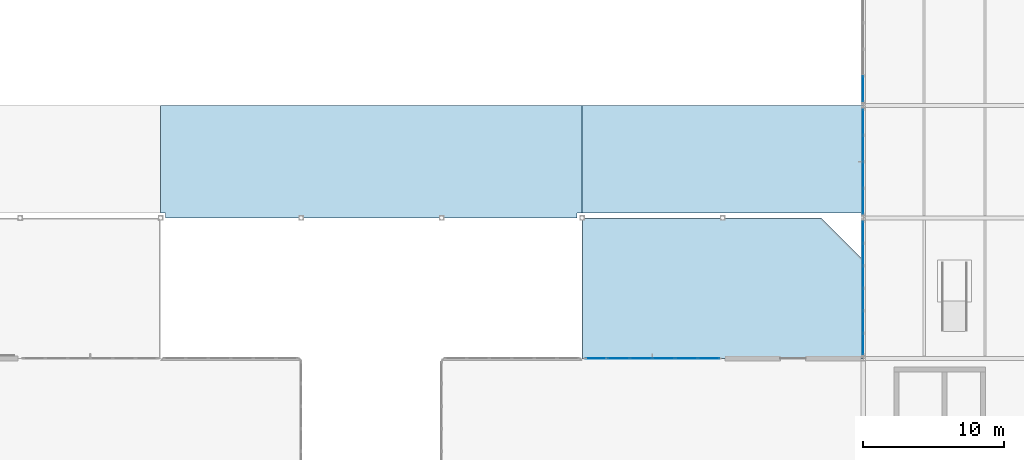
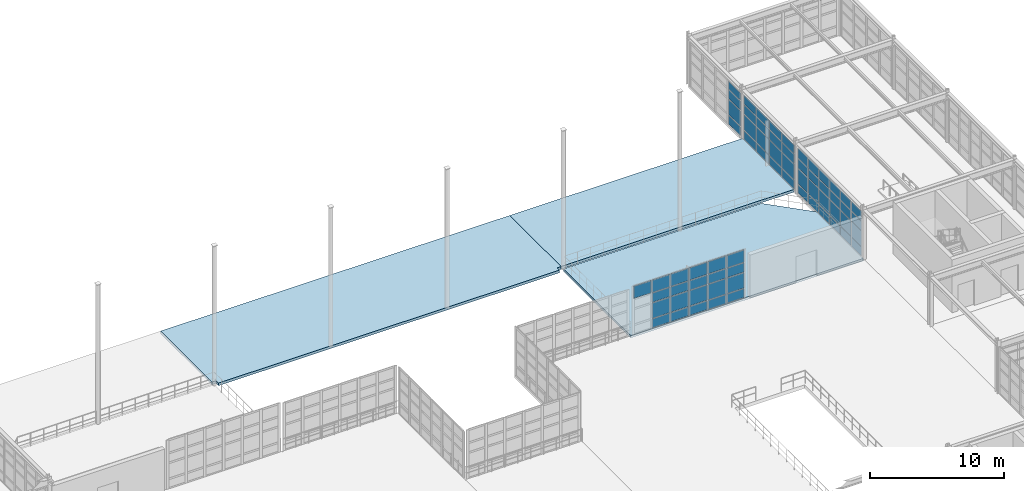
# One storey, part 96 of 139: 65 plates, 3 slabs, 4 elements without a shape of their own.
"""IFC4 building model written with IfcOpenShell, lengths in metres."""

from ifc_helpers import new_model, si_unit, direction, frame, origin, origin_2d, place, context, subcontext, project, spatial, polyline, rectangle, outline, extrude, material, layer, layer_set, type_object, element, aggregate, save


model = new_model("IFC4")

# Units and contexts
model_context = context("Model", 3, precision=1e-05, world=origin(), true_north=direction((0.0, 1.0)))
body_context = subcontext(model_context, "Body", "Model", "MODEL_VIEW")
ifc_project = project(units=[si_unit("LENGTHUNIT", "METRE"), si_unit("AREAUNIT", "SQUARE_METRE"), si_unit("VOLUMEUNIT", "CUBIC_METRE"), si_unit("PLANEANGLEUNIT", "RADIAN"), si_unit("MASSUNIT", "GRAM", prefix="KILO"), si_unit("THERMODYNAMICTEMPERATUREUNIT", "KELVIN"), si_unit("POWERUNIT", "WATT")], contexts=[model_context])

# Site, building, storey
site_placement = place(None, origin())
site = spatial("IfcSite", under=ifc_project, at=site_placement, CompositionType="ELEMENT")
building_placement = place(site_placement, origin())
building = spatial("IfcBuilding", under=site, at=building_placement, Name="Korenveer Ferry Terminal", CompositionType="ELEMENT")
storey_placement = place(building_placement, frame((0.0, 0.0, 5.39990234375)))
storey = spatial("IfcBuildingStorey", under=building, at=storey_placement, Name="L01", CompositionType="ELEMENT", Elevation=5.39990234375)

# Curtain wall, plates
ifc_material_1 = material(Name="Unitised bronze-and-glass curtain wall", Category="glass")
ifc_layer_1 = layer(ifc_material_1, 0.219970703125)
ifc_layer_set_1 = layer_set([ifc_layer_1], Name="Unitised bronze-and-glass curtain wall")
curtain_wall_type_1 = type_object("IfcCurtainWallType", Name="ENV-CW-52", PredefinedType="USERDEFINED", material=ifc_layer_set_1)
curtain_wall_1_placement = place(storey_placement, frame((103.179931640625, 90.0, 0.0)))
curtain_wall_1 = element("IfcCurtainWall", 1, at=curtain_wall_1_placement, inside=storey, type_object=curtain_wall_type_1, Name="Lancet curtain wall CWX-L01-X103-113-Y90-90", ObjectType="UNITISED CURTAIN WALL", PredefinedType="USERDEFINED")
ifc_material_2 = material(Name="Acoustic laminated marine glazing", Category="glass")
ifc_layer_2 = layer(ifc_material_2, 0.035888671875)
ifc_layer_set_2 = layer_set([ifc_layer_2], Name="Acoustic laminated marine glazing")
plate_type = type_object("IfcPlateType", Name="ENV-CWP-GLZ36", PredefinedType="CURTAIN_PANEL", material=ifc_layer_set_2)
plate_1_placement = place(storey_placement, frame((104.002197265625, 90.0, 3.28759765625), z_axis=(0.0, 0.0, 1.0), x_axis=(1.0, 0.0, 0.0)))
plate_1 = element("IfcPlate", 2, at=plate_1_placement, type_object=plate_type, Name="CW-52 panel 1.4", PredefinedType="CURTAIN_PANEL", context=body_context, shape_type="SweptSolid", body=[
    extrude(rectangle(XDim=1.494140625, YDim=0.035888671875, at=origin_2d()), origin(), (0.0, 0.0, 1.0), 1.097412109375),
])
plate_2_placement = place(storey_placement, frame((105.590087890625, 90.0, 0.074951171875), z_axis=(0.0, 0.0, 1.0), x_axis=(1.0, 0.0, 0.0)))
plate_2 = element("IfcPlate", 3, at=plate_2_placement, type_object=plate_type, Name="CW-52 panel 2.1", PredefinedType="CURTAIN_PANEL", context=body_context, shape_type="SweptSolid", body=[
    extrude(rectangle(XDim=1.53173828125, YDim=0.035888671875, at=origin_2d()), origin(), (0.0, 0.0, 1.0), 0.78759765625),
])
plate_3_placement = place(storey_placement, frame((105.590087890625, 90.0, 0.9375), z_axis=(0.0, 0.0, 1.0), x_axis=(1.0, 0.0, 0.0)))
plate_3 = element("IfcPlate", 4, at=plate_3_placement, type_object=plate_type, Name="CW-52 panel 2.2", PredefinedType="CURTAIN_PANEL", context=body_context, shape_type="SweptSolid", body=[
    extrude(rectangle(XDim=1.53173828125, YDim=0.035888671875, at=origin_2d()), origin(), (0.0, 0.0, 1.0), 1.375),
])
plate_4_placement = place(storey_placement, frame((105.590087890625, 90.0, 2.3876953125), z_axis=(0.0, 0.0, 1.0), x_axis=(1.0, 0.0, 0.0)))
plate_4 = element("IfcPlate", 5, at=plate_4_placement, type_object=plate_type, Name="CW-52 panel 2.3", PredefinedType="CURTAIN_PANEL", context=body_context, shape_type="SweptSolid", body=[
    extrude(rectangle(XDim=1.53173828125, YDim=0.035888671875, at=origin_2d()), origin(), (0.0, 0.0, 1.0), 0.824951171875),
])
plate_5_placement = place(storey_placement, frame((105.590087890625, 90.0, 3.28759765625), z_axis=(0.0, 0.0, 1.0), x_axis=(1.0, 0.0, 0.0)))
plate_5 = element("IfcPlate", 6, at=plate_5_placement, type_object=plate_type, Name="CW-52 panel 2.4", PredefinedType="CURTAIN_PANEL", context=body_context, shape_type="SweptSolid", body=[
    extrude(rectangle(XDim=1.53173828125, YDim=0.035888671875, at=origin_2d()), origin(), (0.0, 0.0, 1.0), 1.097412109375),
])
plate_6_placement = place(storey_placement, frame((107.19677734375, 90.0, 0.074951171875), z_axis=(0.0, 0.0, 1.0), x_axis=(1.0, 0.0, 0.0)))
plate_6 = element("IfcPlate", 7, at=plate_6_placement, type_object=plate_type, Name="CW-52 panel 3.1", PredefinedType="CURTAIN_PANEL", context=body_context, shape_type="SweptSolid", body=[
    extrude(rectangle(XDim=1.53173828125, YDim=0.035888671875, at=origin_2d()), origin(), (0.0, 0.0, 1.0), 0.78759765625),
])
plate_7_placement = place(storey_placement, frame((107.19677734375, 90.0, 0.9375), z_axis=(0.0, 0.0, 1.0), x_axis=(1.0, 0.0, 0.0)))
plate_7 = element("IfcPlate", 8, at=plate_7_placement, type_object=plate_type, Name="CW-52 panel 3.2", PredefinedType="CURTAIN_PANEL", context=body_context, shape_type="SweptSolid", body=[
    extrude(rectangle(XDim=1.53173828125, YDim=0.035888671875, at=origin_2d()), origin(), (0.0, 0.0, 1.0), 1.375),
])
plate_8_placement = place(storey_placement, frame((107.19677734375, 90.0, 2.3876953125), z_axis=(0.0, 0.0, 1.0), x_axis=(1.0, 0.0, 0.0)))
plate_8 = element("IfcPlate", 9, at=plate_8_placement, type_object=plate_type, Name="CW-52 panel 3.3", PredefinedType="CURTAIN_PANEL", context=body_context, shape_type="SweptSolid", body=[
    extrude(rectangle(XDim=1.53173828125, YDim=0.035888671875, at=origin_2d()), origin(), (0.0, 0.0, 1.0), 0.824951171875),
])
plate_9_placement = place(storey_placement, frame((107.19677734375, 90.0, 3.28759765625), z_axis=(0.0, 0.0, 1.0), x_axis=(1.0, 0.0, 0.0)))
plate_9 = element("IfcPlate", 10, at=plate_9_placement, type_object=plate_type, Name="CW-52 panel 3.4", PredefinedType="CURTAIN_PANEL", context=body_context, shape_type="SweptSolid", body=[
    extrude(rectangle(XDim=1.53173828125, YDim=0.035888671875, at=origin_2d()), origin(), (0.0, 0.0, 1.0), 1.097412109375),
])
plate_10_placement = place(storey_placement, frame((108.80322265625, 90.0, 0.074951171875), z_axis=(0.0, 0.0, 1.0), x_axis=(1.0, 0.0, 0.0)))
plate_10 = element("IfcPlate", 11, at=plate_10_placement, type_object=plate_type, Name="CW-52 panel 4.1", PredefinedType="CURTAIN_PANEL", context=body_context, shape_type="SweptSolid", body=[
    extrude(rectangle(XDim=1.53173828125, YDim=0.035888671875, at=origin_2d()), origin(), (0.0, 0.0, 1.0), 0.78759765625),
])
plate_11_placement = place(storey_placement, frame((108.80322265625, 90.0, 0.9375), z_axis=(0.0, 0.0, 1.0), x_axis=(1.0, 0.0, 0.0)))
plate_11 = element("IfcPlate", 12, at=plate_11_placement, type_object=plate_type, Name="CW-52 panel 4.2", PredefinedType="CURTAIN_PANEL", context=body_context, shape_type="SweptSolid", body=[
    extrude(rectangle(XDim=1.53173828125, YDim=0.035888671875, at=origin_2d()), origin(), (0.0, 0.0, 1.0), 1.375),
])
plate_12_placement = place(storey_placement, frame((108.80322265625, 90.0, 2.3876953125), z_axis=(0.0, 0.0, 1.0), x_axis=(1.0, 0.0, 0.0)))
plate_12 = element("IfcPlate", 13, at=plate_12_placement, type_object=plate_type, Name="CW-52 panel 4.3", PredefinedType="CURTAIN_PANEL", context=body_context, shape_type="SweptSolid", body=[
    extrude(rectangle(XDim=1.53173828125, YDim=0.035888671875, at=origin_2d()), origin(), (0.0, 0.0, 1.0), 0.824951171875),
])
plate_13_placement = place(storey_placement, frame((108.80322265625, 90.0, 3.28759765625), z_axis=(0.0, 0.0, 1.0), x_axis=(1.0, 0.0, 0.0)))
plate_13 = element("IfcPlate", 14, at=plate_13_placement, type_object=plate_type, Name="CW-52 panel 4.4", PredefinedType="CURTAIN_PANEL", context=body_context, shape_type="SweptSolid", body=[
    extrude(rectangle(XDim=1.53173828125, YDim=0.035888671875, at=origin_2d()), origin(), (0.0, 0.0, 1.0), 1.097412109375),
])
plate_14_placement = place(storey_placement, frame((110.409912109375, 90.0, 0.074951171875), z_axis=(0.0, 0.0, 1.0), x_axis=(1.0, 0.0, 0.0)))
plate_14 = element("IfcPlate", 15, at=plate_14_placement, type_object=plate_type, Name="CW-52 panel 5.1", PredefinedType="CURTAIN_PANEL", context=body_context, shape_type="SweptSolid", body=[
    extrude(rectangle(XDim=1.53173828125, YDim=0.035888671875, at=origin_2d()), origin(), (0.0, 0.0, 1.0), 0.78759765625),
])
plate_15_placement = place(storey_placement, frame((110.409912109375, 90.0, 0.9375), z_axis=(0.0, 0.0, 1.0), x_axis=(1.0, 0.0, 0.0)))
plate_15 = element("IfcPlate", 16, at=plate_15_placement, type_object=plate_type, Name="CW-52 panel 5.2", PredefinedType="CURTAIN_PANEL", context=body_context, shape_type="SweptSolid", body=[
    extrude(rectangle(XDim=1.53173828125, YDim=0.035888671875, at=origin_2d()), origin(), (0.0, 0.0, 1.0), 1.375),
])
plate_16_placement = place(storey_placement, frame((110.409912109375, 90.0, 2.3876953125), z_axis=(0.0, 0.0, 1.0), x_axis=(1.0, 0.0, 0.0)))
plate_16 = element("IfcPlate", 17, at=plate_16_placement, type_object=plate_type, Name="CW-52 panel 5.3", PredefinedType="CURTAIN_PANEL", context=body_context, shape_type="SweptSolid", body=[
    extrude(rectangle(XDim=1.53173828125, YDim=0.035888671875, at=origin_2d()), origin(), (0.0, 0.0, 1.0), 0.824951171875),
])
plate_17_placement = place(storey_placement, frame((110.409912109375, 90.0, 3.28759765625), z_axis=(0.0, 0.0, 1.0), x_axis=(1.0, 0.0, 0.0)))
plate_17 = element("IfcPlate", 18, at=plate_17_placement, type_object=plate_type, Name="CW-52 panel 5.4", PredefinedType="CURTAIN_PANEL", context=body_context, shape_type="SweptSolid", body=[
    extrude(rectangle(XDim=1.53173828125, YDim=0.035888671875, at=origin_2d()), origin(), (0.0, 0.0, 1.0), 1.097412109375),
])
plate_18_placement = place(storey_placement, frame((111.997802734375, 90.0, 0.074951171875), z_axis=(0.0, 0.0, 1.0), x_axis=(1.0, 0.0, 0.0)))
plate_18 = element("IfcPlate", 19, at=plate_18_placement, type_object=plate_type, Name="CW-52 panel 6.1", PredefinedType="CURTAIN_PANEL", context=body_context, shape_type="SweptSolid", body=[
    extrude(rectangle(XDim=1.494140625, YDim=0.035888671875, at=origin_2d()), origin(), (0.0, 0.0, 1.0), 0.78759765625),
])
plate_19_placement = place(storey_placement, frame((111.997802734375, 90.0, 0.9375), z_axis=(0.0, 0.0, 1.0), x_axis=(1.0, 0.0, 0.0)))
plate_19 = element("IfcPlate", 20, at=plate_19_placement, type_object=plate_type, Name="CW-52 panel 6.2", PredefinedType="CURTAIN_PANEL", context=body_context, shape_type="SweptSolid", body=[
    extrude(rectangle(XDim=1.494140625, YDim=0.035888671875, at=origin_2d()), origin(), (0.0, 0.0, 1.0), 1.375),
])
plate_20_placement = place(storey_placement, frame((111.997802734375, 90.0, 2.3876953125), z_axis=(0.0, 0.0, 1.0), x_axis=(1.0, 0.0, 0.0)))
plate_20 = element("IfcPlate", 21, at=plate_20_placement, type_object=plate_type, Name="CW-52 panel 6.3", PredefinedType="CURTAIN_PANEL", context=body_context, shape_type="SweptSolid", body=[
    extrude(rectangle(XDim=1.494140625, YDim=0.035888671875, at=origin_2d()), origin(), (0.0, 0.0, 1.0), 0.824951171875),
])
plate_21_placement = place(storey_placement, frame((111.997802734375, 90.0, 3.28759765625), z_axis=(0.0, 0.0, 1.0), x_axis=(1.0, 0.0, 0.0)))
plate_21 = element("IfcPlate", 22, at=plate_21_placement, type_object=plate_type, Name="CW-52 panel 6.4", PredefinedType="CURTAIN_PANEL", context=body_context, shape_type="SweptSolid", body=[
    extrude(rectangle(XDim=1.494140625, YDim=0.035888671875, at=origin_2d()), origin(), (0.0, 0.0, 1.0), 1.097412109375),
])
aggregate(curtain_wall_1, [plate_1, plate_2, plate_3, plate_4, plate_5, plate_6, plate_7, plate_8, plate_9, plate_10, plate_11, plate_12, plate_13, plate_14, plate_15, plate_16, plate_17, plate_18, plate_19, plate_20, plate_21])

ifc_layer_3 = layer(ifc_material_1, 0.219970703125)
ifc_layer_set_3 = layer_set([ifc_layer_3], Name="Unitised bronze-and-glass curtain wall")
curtain_wall_type_2 = type_object("IfcCurtainWallType", Name="ENV-CW-68", PredefinedType="USERDEFINED", material=ifc_layer_set_3)
curtain_wall_2_placement = place(storey_placement, frame((123.0, 90.2099609375, 0.0)))
curtain_wall_2 = element("IfcCurtainWall", 23, at=curtain_wall_2_placement, inside=storey, type_object=curtain_wall_type_2, Name="Lancet curtain wall CWX-L01-X123-123-Y90-100", ObjectType="UNITISED CURTAIN WALL", PredefinedType="USERDEFINED")
plate_22_placement = place(storey_placement, frame((123.0, 91.027099609375, 0.074951171875), z_axis=(0.0, 0.0, 1.0), x_axis=(0.0, 1.0, 0.0)))
plate_22 = element("IfcPlate", 24, at=plate_22_placement, type_object=plate_type, Name="CW-68 panel 1.1", PredefinedType="CURTAIN_PANEL", context=body_context, shape_type="SweptSolid", body=[
    extrude(rectangle(XDim=1.484130859375, YDim=0.035888671875, at=origin_2d()), origin(), (0.0, 0.0, 1.0), 0.78759765625),
])
plate_23_placement = place(storey_placement, frame((123.0, 91.027099609375, 0.9375), z_axis=(0.0, 0.0, 1.0), x_axis=(0.0, 1.0, 0.0)))
plate_23 = element("IfcPlate", 25, at=plate_23_placement, type_object=plate_type, Name="CW-68 panel 1.2", PredefinedType="CURTAIN_PANEL", context=body_context, shape_type="SweptSolid", body=[
    extrude(rectangle(XDim=1.484130859375, YDim=0.035888671875, at=origin_2d()), origin(), (0.0, 0.0, 1.0), 1.375),
])
plate_24_placement = place(storey_placement, frame((123.0, 91.027099609375, 2.3876953125), z_axis=(0.0, 0.0, 1.0), x_axis=(0.0, 1.0, 0.0)))
plate_24 = element("IfcPlate", 26, at=plate_24_placement, type_object=plate_type, Name="CW-68 panel 1.3", PredefinedType="CURTAIN_PANEL", context=body_context, shape_type="SweptSolid", body=[
    extrude(rectangle(XDim=1.484130859375, YDim=0.035888671875, at=origin_2d()), origin(), (0.0, 0.0, 1.0), 0.824951171875),
])
plate_25_placement = place(storey_placement, frame((123.0, 91.027099609375, 3.28759765625), z_axis=(0.0, 0.0, 1.0), x_axis=(0.0, 1.0, 0.0)))
plate_25 = element("IfcPlate", 27, at=plate_25_placement, type_object=plate_type, Name="CW-68 panel 1.4", PredefinedType="CURTAIN_PANEL", context=body_context, shape_type="SweptSolid", body=[
    extrude(rectangle(XDim=1.484130859375, YDim=0.035888671875, at=origin_2d()), origin(), (0.0, 0.0, 1.0), 0.867431640625),
])
plate_26_placement = place(storey_placement, frame((123.0, 92.60498046875, 0.074951171875), z_axis=(0.0, 0.0, 1.0), x_axis=(0.0, 1.0, 0.0)))
plate_26 = element("IfcPlate", 28, at=plate_26_placement, type_object=plate_type, Name="CW-68 panel 2.1", PredefinedType="CURTAIN_PANEL", context=body_context, shape_type="SweptSolid", body=[
    extrude(rectangle(XDim=1.521728515625, YDim=0.035888671875, at=origin_2d()), origin(), (0.0, 0.0, 1.0), 0.78759765625),
])
plate_27_placement = place(storey_placement, frame((123.0, 92.60498046875, 0.9375), z_axis=(0.0, 0.0, 1.0), x_axis=(0.0, 1.0, 0.0)))
plate_27 = element("IfcPlate", 29, at=plate_27_placement, type_object=plate_type, Name="CW-68 panel 2.2", PredefinedType="CURTAIN_PANEL", context=body_context, shape_type="SweptSolid", body=[
    extrude(rectangle(XDim=1.521728515625, YDim=0.035888671875, at=origin_2d()), origin(), (0.0, 0.0, 1.0), 1.375),
])
plate_28_placement = place(storey_placement, frame((123.0, 92.60498046875, 2.3876953125), z_axis=(0.0, 0.0, 1.0), x_axis=(0.0, 1.0, 0.0)))
plate_28 = element("IfcPlate", 30, at=plate_28_placement, type_object=plate_type, Name="CW-68 panel 2.3", PredefinedType="CURTAIN_PANEL", context=body_context, shape_type="SweptSolid", body=[
    extrude(rectangle(XDim=1.521728515625, YDim=0.035888671875, at=origin_2d()), origin(), (0.0, 0.0, 1.0), 0.824951171875),
])
plate_29_placement = place(storey_placement, frame((123.0, 92.60498046875, 3.28759765625), z_axis=(0.0, 0.0, 1.0), x_axis=(0.0, 1.0, 0.0)))
plate_29 = element("IfcPlate", 31, at=plate_29_placement, type_object=plate_type, Name="CW-68 panel 2.4", PredefinedType="CURTAIN_PANEL", context=body_context, shape_type="SweptSolid", body=[
    extrude(rectangle(XDim=1.521728515625, YDim=0.035888671875, at=origin_2d()), origin(), (0.0, 0.0, 1.0), 0.867431640625),
])
plate_30_placement = place(storey_placement, frame((123.0, 94.20166015625, 0.074951171875), z_axis=(0.0, 0.0, 1.0), x_axis=(0.0, 1.0, 0.0)))
plate_30 = element("IfcPlate", 32, at=plate_30_placement, type_object=plate_type, Name="CW-68 panel 3.1", PredefinedType="CURTAIN_PANEL", context=body_context, shape_type="SweptSolid", body=[
    extrude(rectangle(XDim=1.521728515625, YDim=0.035888671875, at=origin_2d()), origin(), (0.0, 0.0, 1.0), 0.78759765625),
])
plate_31_placement = place(storey_placement, frame((123.0, 94.20166015625, 0.9375), z_axis=(0.0, 0.0, 1.0), x_axis=(0.0, 1.0, 0.0)))
plate_31 = element("IfcPlate", 33, at=plate_31_placement, type_object=plate_type, Name="CW-68 panel 3.2", PredefinedType="CURTAIN_PANEL", context=body_context, shape_type="SweptSolid", body=[
    extrude(rectangle(XDim=1.521728515625, YDim=0.035888671875, at=origin_2d()), origin(), (0.0, 0.0, 1.0), 1.375),
])
plate_32_placement = place(storey_placement, frame((123.0, 94.20166015625, 2.3876953125), z_axis=(0.0, 0.0, 1.0), x_axis=(0.0, 1.0, 0.0)))
plate_32 = element("IfcPlate", 34, at=plate_32_placement, type_object=plate_type, Name="CW-68 panel 3.3", PredefinedType="CURTAIN_PANEL", context=body_context, shape_type="SweptSolid", body=[
    extrude(rectangle(XDim=1.521728515625, YDim=0.035888671875, at=origin_2d()), origin(), (0.0, 0.0, 1.0), 0.824951171875),
])
plate_33_placement = place(storey_placement, frame((123.0, 94.20166015625, 3.28759765625), z_axis=(0.0, 0.0, 1.0), x_axis=(0.0, 1.0, 0.0)))
plate_33 = element("IfcPlate", 35, at=plate_33_placement, type_object=plate_type, Name="CW-68 panel 3.4", PredefinedType="CURTAIN_PANEL", context=body_context, shape_type="SweptSolid", body=[
    extrude(rectangle(XDim=1.521728515625, YDim=0.035888671875, at=origin_2d()), origin(), (0.0, 0.0, 1.0), 0.867431640625),
])
plate_34_placement = place(storey_placement, frame((123.0, 95.79833984375, 0.074951171875), z_axis=(0.0, 0.0, 1.0), x_axis=(0.0, 1.0, 0.0)))
plate_34 = element("IfcPlate", 36, at=plate_34_placement, type_object=plate_type, Name="CW-68 panel 4.1", PredefinedType="CURTAIN_PANEL", context=body_context, shape_type="SweptSolid", body=[
    extrude(rectangle(XDim=1.521728515625, YDim=0.035888671875, at=origin_2d()), origin(), (0.0, 0.0, 1.0), 0.78759765625),
])
plate_35_placement = place(storey_placement, frame((123.0, 95.79833984375, 0.9375), z_axis=(0.0, 0.0, 1.0), x_axis=(0.0, 1.0, 0.0)))
plate_35 = element("IfcPlate", 37, at=plate_35_placement, type_object=plate_type, Name="CW-68 panel 4.2", PredefinedType="CURTAIN_PANEL", context=body_context, shape_type="SweptSolid", body=[
    extrude(rectangle(XDim=1.521728515625, YDim=0.035888671875, at=origin_2d()), origin(), (0.0, 0.0, 1.0), 1.375),
])
plate_36_placement = place(storey_placement, frame((123.0, 95.79833984375, 2.3876953125), z_axis=(0.0, 0.0, 1.0), x_axis=(0.0, 1.0, 0.0)))
plate_36 = element("IfcPlate", 38, at=plate_36_placement, type_object=plate_type, Name="CW-68 panel 4.3", PredefinedType="CURTAIN_PANEL", context=body_context, shape_type="SweptSolid", body=[
    extrude(rectangle(XDim=1.521728515625, YDim=0.035888671875, at=origin_2d()), origin(), (0.0, 0.0, 1.0), 0.824951171875),
])
plate_37_placement = place(storey_placement, frame((123.0, 95.79833984375, 3.28759765625), z_axis=(0.0, 0.0, 1.0), x_axis=(0.0, 1.0, 0.0)))
plate_37 = element("IfcPlate", 39, at=plate_37_placement, type_object=plate_type, Name="CW-68 panel 4.4", PredefinedType="CURTAIN_PANEL", context=body_context, shape_type="SweptSolid", body=[
    extrude(rectangle(XDim=1.521728515625, YDim=0.035888671875, at=origin_2d()), origin(), (0.0, 0.0, 1.0), 0.867431640625),
])
plate_38_placement = place(storey_placement, frame((123.0, 97.39501953125, 0.074951171875), z_axis=(0.0, 0.0, 1.0), x_axis=(0.0, 1.0, 0.0)))
plate_38 = element("IfcPlate", 40, at=plate_38_placement, type_object=plate_type, Name="CW-68 panel 5.1", PredefinedType="CURTAIN_PANEL", context=body_context, shape_type="SweptSolid", body=[
    extrude(rectangle(XDim=1.521728515625, YDim=0.035888671875, at=origin_2d()), origin(), (0.0, 0.0, 1.0), 0.78759765625),
])
plate_39_placement = place(storey_placement, frame((123.0, 97.39501953125, 0.9375), z_axis=(0.0, 0.0, 1.0), x_axis=(0.0, 1.0, 0.0)))
plate_39 = element("IfcPlate", 41, at=plate_39_placement, type_object=plate_type, Name="CW-68 panel 5.2", PredefinedType="CURTAIN_PANEL", context=body_context, shape_type="SweptSolid", body=[
    extrude(rectangle(XDim=1.521728515625, YDim=0.035888671875, at=origin_2d()), origin(), (0.0, 0.0, 1.0), 1.375),
])
plate_40_placement = place(storey_placement, frame((123.0, 97.39501953125, 2.3876953125), z_axis=(0.0, 0.0, 1.0), x_axis=(0.0, 1.0, 0.0)))
plate_40 = element("IfcPlate", 42, at=plate_40_placement, type_object=plate_type, Name="CW-68 panel 5.3", PredefinedType="CURTAIN_PANEL", context=body_context, shape_type="SweptSolid", body=[
    extrude(rectangle(XDim=1.521728515625, YDim=0.035888671875, at=origin_2d()), origin(), (0.0, 0.0, 1.0), 0.824951171875),
])
plate_41_placement = place(storey_placement, frame((123.0, 97.39501953125, 3.28759765625), z_axis=(0.0, 0.0, 1.0), x_axis=(0.0, 1.0, 0.0)))
plate_41 = element("IfcPlate", 43, at=plate_41_placement, type_object=plate_type, Name="CW-68 panel 5.4", PredefinedType="CURTAIN_PANEL", context=body_context, shape_type="SweptSolid", body=[
    extrude(rectangle(XDim=1.521728515625, YDim=0.035888671875, at=origin_2d()), origin(), (0.0, 0.0, 1.0), 0.867431640625),
])
plate_42_placement = place(storey_placement, frame((123.0, 98.972900390625, 0.074951171875), z_axis=(0.0, 0.0, 1.0), x_axis=(0.0, 1.0, 0.0)))
plate_42 = element("IfcPlate", 44, at=plate_42_placement, type_object=plate_type, Name="CW-68 panel 6.1", PredefinedType="CURTAIN_PANEL", context=body_context, shape_type="SweptSolid", body=[
    extrude(rectangle(XDim=1.484130859375, YDim=0.035888671875, at=origin_2d()), origin(), (0.0, 0.0, 1.0), 0.78759765625),
])
plate_43_placement = place(storey_placement, frame((123.0, 98.972900390625, 0.9375), z_axis=(0.0, 0.0, 1.0), x_axis=(0.0, 1.0, 0.0)))
plate_43 = element("IfcPlate", 45, at=plate_43_placement, type_object=plate_type, Name="CW-68 panel 6.2", PredefinedType="CURTAIN_PANEL", context=body_context, shape_type="SweptSolid", body=[
    extrude(rectangle(XDim=1.484130859375, YDim=0.035888671875, at=origin_2d()), origin(), (0.0, 0.0, 1.0), 1.375),
])
plate_44_placement = place(storey_placement, frame((123.0, 98.972900390625, 2.3876953125), z_axis=(0.0, 0.0, 1.0), x_axis=(0.0, 1.0, 0.0)))
plate_44 = element("IfcPlate", 46, at=plate_44_placement, type_object=plate_type, Name="CW-68 panel 6.3", PredefinedType="CURTAIN_PANEL", context=body_context, shape_type="SweptSolid", body=[
    extrude(rectangle(XDim=1.484130859375, YDim=0.035888671875, at=origin_2d()), origin(), (0.0, 0.0, 1.0), 0.824951171875),
])
plate_45_placement = place(storey_placement, frame((123.0, 98.972900390625, 3.28759765625), z_axis=(0.0, 0.0, 1.0), x_axis=(0.0, 1.0, 0.0)))
plate_45 = element("IfcPlate", 47, at=plate_45_placement, type_object=plate_type, Name="CW-68 panel 6.4", PredefinedType="CURTAIN_PANEL", context=body_context, shape_type="SweptSolid", body=[
    extrude(rectangle(XDim=1.484130859375, YDim=0.035888671875, at=origin_2d()), origin(), (0.0, 0.0, 1.0), 0.867431640625),
])
aggregate(curtain_wall_2, [plate_22, plate_23, plate_24, plate_25, plate_26, plate_27, plate_28, plate_29, plate_30, plate_31, plate_32, plate_33, plate_34, plate_35, plate_36, plate_37, plate_38, plate_39, plate_40, plate_41, plate_42, plate_43, plate_44, plate_45])

ifc_layer_4 = layer(ifc_material_1, 0.219970703125)
ifc_layer_set_4 = layer_set([ifc_layer_4], Name="Unitised bronze-and-glass curtain wall")
curtain_wall_type_3 = type_object("IfcCurtainWallType", Name="ENV-CW-72", PredefinedType="USERDEFINED", material=ifc_layer_set_4)
curtain_wall_3_placement = place(storey_placement, frame((123.0, 100.2099609375, 0.0)))
curtain_wall_3 = element("IfcCurtainWall", 48, at=curtain_wall_3_placement, inside=storey, type_object=curtain_wall_type_3, Name="Lancet curtain wall CWX-L01-X123-123-Y100-108", ObjectType="UNITISED CURTAIN WALL", PredefinedType="USERDEFINED")
plate_46_placement = place(storey_placement, frame((123.0, 101.17626953125, 0.074951171875), z_axis=(0.0, 0.0, 1.0), x_axis=(0.0, 1.0, 0.0)))
plate_46 = element("IfcPlate", 49, at=plate_46_placement, type_object=plate_type, Name="CW-72 panel 1.1", PredefinedType="CURTAIN_PANEL", context=body_context, shape_type="SweptSolid", body=[
    extrude(rectangle(XDim=1.782470703125, YDim=0.035888671875, at=origin_2d()), origin(), (0.0, 0.0, 1.0), 0.78759765625),
])
plate_47_placement = place(storey_placement, frame((123.0, 101.17626953125, 0.9375), z_axis=(0.0, 0.0, 1.0), x_axis=(0.0, 1.0, 0.0)))
plate_47 = element("IfcPlate", 50, at=plate_47_placement, type_object=plate_type, Name="CW-72 panel 1.2", PredefinedType="CURTAIN_PANEL", context=body_context, shape_type="SweptSolid", body=[
    extrude(rectangle(XDim=1.782470703125, YDim=0.035888671875, at=origin_2d()), origin(), (0.0, 0.0, 1.0), 1.375),
])
plate_48_placement = place(storey_placement, frame((123.0, 101.17626953125, 2.3876953125), z_axis=(0.0, 0.0, 1.0), x_axis=(0.0, 1.0, 0.0)))
plate_48 = element("IfcPlate", 51, at=plate_48_placement, type_object=plate_type, Name="CW-72 panel 1.3", PredefinedType="CURTAIN_PANEL", context=body_context, shape_type="SweptSolid", body=[
    extrude(rectangle(XDim=1.782470703125, YDim=0.035888671875, at=origin_2d()), origin(), (0.0, 0.0, 1.0), 0.824951171875),
])
plate_49_placement = place(storey_placement, frame((123.0, 101.17626953125, 3.28759765625), z_axis=(0.0, 0.0, 1.0), x_axis=(0.0, 1.0, 0.0)))
plate_49 = element("IfcPlate", 52, at=plate_49_placement, type_object=plate_type, Name="CW-72 panel 1.4", PredefinedType="CURTAIN_PANEL", context=body_context, shape_type="SweptSolid", body=[
    extrude(rectangle(XDim=1.782470703125, YDim=0.035888671875, at=origin_2d()), origin(), (0.0, 0.0, 1.0), 0.767578125),
])
plate_50_placement = place(storey_placement, frame((123.0, 103.052490234375, 0.074951171875), z_axis=(0.0, 0.0, 1.0), x_axis=(0.0, 1.0, 0.0)))
plate_50 = element("IfcPlate", 53, at=plate_50_placement, type_object=plate_type, Name="CW-72 panel 2.1", PredefinedType="CURTAIN_PANEL", context=body_context, shape_type="SweptSolid", body=[
    extrude(rectangle(XDim=1.820068359375, YDim=0.035888671875, at=origin_2d()), origin(), (0.0, 0.0, 1.0), 0.78759765625),
])
plate_51_placement = place(storey_placement, frame((123.0, 103.052490234375, 0.9375), z_axis=(0.0, 0.0, 1.0), x_axis=(0.0, 1.0, 0.0)))
plate_51 = element("IfcPlate", 54, at=plate_51_placement, type_object=plate_type, Name="CW-72 panel 2.2", PredefinedType="CURTAIN_PANEL", context=body_context, shape_type="SweptSolid", body=[
    extrude(rectangle(XDim=1.820068359375, YDim=0.035888671875, at=origin_2d()), origin(), (0.0, 0.0, 1.0), 1.375),
])
plate_52_placement = place(storey_placement, frame((123.0, 103.052490234375, 2.3876953125), z_axis=(0.0, 0.0, 1.0), x_axis=(0.0, 1.0, 0.0)))
plate_52 = element("IfcPlate", 55, at=plate_52_placement, type_object=plate_type, Name="CW-72 panel 2.3", PredefinedType="CURTAIN_PANEL", context=body_context, shape_type="SweptSolid", body=[
    extrude(rectangle(XDim=1.820068359375, YDim=0.035888671875, at=origin_2d()), origin(), (0.0, 0.0, 1.0), 0.824951171875),
])
plate_53_placement = place(storey_placement, frame((123.0, 103.052490234375, 3.28759765625), z_axis=(0.0, 0.0, 1.0), x_axis=(0.0, 1.0, 0.0)))
plate_53 = element("IfcPlate", 56, at=plate_53_placement, type_object=plate_type, Name="CW-72 panel 2.4", PredefinedType="CURTAIN_PANEL", context=body_context, shape_type="SweptSolid", body=[
    extrude(rectangle(XDim=1.820068359375, YDim=0.035888671875, at=origin_2d()), origin(), (0.0, 0.0, 1.0), 0.767578125),
])
plate_54_placement = place(storey_placement, frame((123.0, 104.947509765625, 0.074951171875), z_axis=(0.0, 0.0, 1.0), x_axis=(0.0, 1.0, 0.0)))
plate_54 = element("IfcPlate", 57, at=plate_54_placement, type_object=plate_type, Name="CW-72 panel 3.1", PredefinedType="CURTAIN_PANEL", context=body_context, shape_type="SweptSolid", body=[
    extrude(rectangle(XDim=1.820068359375, YDim=0.035888671875, at=origin_2d()), origin(), (0.0, 0.0, 1.0), 0.78759765625),
])
plate_55_placement = place(storey_placement, frame((123.0, 104.947509765625, 0.9375), z_axis=(0.0, 0.0, 1.0), x_axis=(0.0, 1.0, 0.0)))
plate_55 = element("IfcPlate", 58, at=plate_55_placement, type_object=plate_type, Name="CW-72 panel 3.2", PredefinedType="CURTAIN_PANEL", context=body_context, shape_type="SweptSolid", body=[
    extrude(rectangle(XDim=1.820068359375, YDim=0.035888671875, at=origin_2d()), origin(), (0.0, 0.0, 1.0), 1.375),
])
plate_56_placement = place(storey_placement, frame((123.0, 104.947509765625, 2.3876953125), z_axis=(0.0, 0.0, 1.0), x_axis=(0.0, 1.0, 0.0)))
plate_56 = element("IfcPlate", 59, at=plate_56_placement, type_object=plate_type, Name="CW-72 panel 3.3", PredefinedType="CURTAIN_PANEL", context=body_context, shape_type="SweptSolid", body=[
    extrude(rectangle(XDim=1.820068359375, YDim=0.035888671875, at=origin_2d()), origin(), (0.0, 0.0, 1.0), 0.824951171875),
])
plate_57_placement = place(storey_placement, frame((123.0, 104.947509765625, 3.28759765625), z_axis=(0.0, 0.0, 1.0), x_axis=(0.0, 1.0, 0.0)))
plate_57 = element("IfcPlate", 60, at=plate_57_placement, type_object=plate_type, Name="CW-72 panel 3.4", PredefinedType="CURTAIN_PANEL", context=body_context, shape_type="SweptSolid", body=[
    extrude(rectangle(XDim=1.820068359375, YDim=0.035888671875, at=origin_2d()), origin(), (0.0, 0.0, 1.0), 0.767578125),
])
plate_58_placement = place(storey_placement, frame((123.0, 106.82373046875, 0.074951171875), z_axis=(0.0, 0.0, 1.0), x_axis=(0.0, 1.0, 0.0)))
plate_58 = element("IfcPlate", 61, at=plate_58_placement, type_object=plate_type, Name="CW-72 panel 4.1", PredefinedType="CURTAIN_PANEL", context=body_context, shape_type="SweptSolid", body=[
    extrude(rectangle(XDim=1.782470703125, YDim=0.035888671875, at=origin_2d()), origin(), (0.0, 0.0, 1.0), 0.78759765625),
])
plate_59_placement = place(storey_placement, frame((123.0, 106.82373046875, 0.9375), z_axis=(0.0, 0.0, 1.0), x_axis=(0.0, 1.0, 0.0)))
plate_59 = element("IfcPlate", 62, at=plate_59_placement, type_object=plate_type, Name="CW-72 panel 4.2", PredefinedType="CURTAIN_PANEL", context=body_context, shape_type="SweptSolid", body=[
    extrude(rectangle(XDim=1.782470703125, YDim=0.035888671875, at=origin_2d()), origin(), (0.0, 0.0, 1.0), 1.375),
])
plate_60_placement = place(storey_placement, frame((123.0, 106.82373046875, 2.3876953125), z_axis=(0.0, 0.0, 1.0), x_axis=(0.0, 1.0, 0.0)))
plate_60 = element("IfcPlate", 63, at=plate_60_placement, type_object=plate_type, Name="CW-72 panel 4.3", PredefinedType="CURTAIN_PANEL", context=body_context, shape_type="SweptSolid", body=[
    extrude(rectangle(XDim=1.782470703125, YDim=0.035888671875, at=origin_2d()), origin(), (0.0, 0.0, 1.0), 0.824951171875),
])
plate_61_placement = place(storey_placement, frame((123.0, 106.82373046875, 3.28759765625), z_axis=(0.0, 0.0, 1.0), x_axis=(0.0, 1.0, 0.0)))
plate_61 = element("IfcPlate", 64, at=plate_61_placement, type_object=plate_type, Name="CW-72 panel 4.4", PredefinedType="CURTAIN_PANEL", context=body_context, shape_type="SweptSolid", body=[
    extrude(rectangle(XDim=1.782470703125, YDim=0.035888671875, at=origin_2d()), origin(), (0.0, 0.0, 1.0), 0.767578125),
])
aggregate(curtain_wall_3, [plate_46, plate_47, plate_48, plate_49, plate_50, plate_51, plate_52, plate_53, plate_54, plate_55, plate_56, plate_57, plate_58, plate_59, plate_60, plate_61])

ifc_layer_5 = layer(ifc_material_1, 0.219970703125)
ifc_layer_set_5 = layer_set([ifc_layer_5], Name="Unitised bronze-and-glass curtain wall")
curtain_wall_type_4 = type_object("IfcCurtainWallType", Name="ENV-CW-75", PredefinedType="USERDEFINED", material=ifc_layer_set_5)
curtain_wall_4_placement = place(storey_placement, frame((123.0, 108.2099609375, 0.0)))
curtain_wall_4 = element("IfcCurtainWall", 65, at=curtain_wall_4_placement, inside=storey, type_object=curtain_wall_type_4, Name="Lancet curtain wall CWX-L01-X123-123-Y108-116", ObjectType="UNITISED CURTAIN WALL", PredefinedType="USERDEFINED")
plate_62_placement = place(storey_placement, frame((123.0, 109.17626953125, 0.074951171875), z_axis=(0.0, 0.0, 1.0), x_axis=(0.0, 1.0, 0.0)))
plate_62 = element("IfcPlate", 66, at=plate_62_placement, type_object=plate_type, Name="CW-75 panel 1.1", PredefinedType="CURTAIN_PANEL", context=body_context, shape_type="SweptSolid", body=[
    extrude(rectangle(XDim=1.782470703125, YDim=0.035888671875, at=origin_2d()), origin(), (0.0, 0.0, 1.0), 0.78759765625),
])
plate_63_placement = place(storey_placement, frame((123.0, 109.17626953125, 0.9375), z_axis=(0.0, 0.0, 1.0), x_axis=(0.0, 1.0, 0.0)))
plate_63 = element("IfcPlate", 67, at=plate_63_placement, type_object=plate_type, Name="CW-75 panel 1.2", PredefinedType="CURTAIN_PANEL", context=body_context, shape_type="SweptSolid", body=[
    extrude(rectangle(XDim=1.782470703125, YDim=0.035888671875, at=origin_2d()), origin(), (0.0, 0.0, 1.0), 1.375),
])
plate_64_placement = place(storey_placement, frame((123.0, 109.17626953125, 2.3876953125), z_axis=(0.0, 0.0, 1.0), x_axis=(0.0, 1.0, 0.0)))
plate_64 = element("IfcPlate", 68, at=plate_64_placement, type_object=plate_type, Name="CW-75 panel 1.3", PredefinedType="CURTAIN_PANEL", context=body_context, shape_type="SweptSolid", body=[
    extrude(rectangle(XDim=1.782470703125, YDim=0.035888671875, at=origin_2d()), origin(), (0.0, 0.0, 1.0), 0.824951171875),
])
plate_65_placement = place(storey_placement, frame((123.0, 109.17626953125, 3.28759765625), z_axis=(0.0, 0.0, 1.0), x_axis=(0.0, 1.0, 0.0)))
plate_65 = element("IfcPlate", 69, at=plate_65_placement, type_object=plate_type, Name="CW-75 panel 1.4", PredefinedType="CURTAIN_PANEL", context=body_context, shape_type="SweptSolid", body=[
    extrude(rectangle(XDim=1.782470703125, YDim=0.035888671875, at=origin_2d()), origin(), (0.0, 0.0, 1.0), 0.66748046875),
])
aggregate(curtain_wall_4, [plate_62, plate_63, plate_64, plate_65])

# Slabs
ifc_material_3 = material(Name="Concrete C40/50", Category="concrete")
ifc_layer_6 = layer(ifc_material_3, 0.219970703125)
ifc_layer_set_6 = layer_set([ifc_layer_6], Name="Concrete C40/50")
slab_type_1 = type_object("IfcSlabType", Name="STR-SL-DECK220", PredefinedType="FLOOR", material=ifc_layer_set_6)
slab_1_placement = place(storey_placement, frame((0.0, 0.0, -0.219970703125)))
element("IfcSlab", 70, at=slab_1_placement, inside=storey, type_object=slab_type_1, Name="East Prow Waterfront Terrace", PredefinedType="FLOOR", context=body_context, shape_type="SweptSolid", body=[
    extrude(outline(polyline([(103.0, 90.0), (123.0, 90.0), (123.0, 97.0), (120.0, 100.0), (103.0, 100.0), (103.0, 90.0)])), origin(), (0.0, 0.0, 1.0), 0.219970703125),
])
ifc_material_4 = material(Name="Concrete C35/45", Category="concrete")
ifc_layer_7 = layer(ifc_material_4, 0.239990234375)
ifc_layer_set_7 = layer_set([ifc_layer_7], Name="Concrete C35/45")
slab_type_2 = type_object("IfcSlabType", Name="STR-SL-ROOF240", PredefinedType="ROOF", material=ifc_layer_set_7)
slab_2_placement = place(storey_placement, frame((0.0, 0.0, -0.239990234375)))
element("IfcSlab", 71, at=slab_2_placement, inside=storey, type_object=slab_type_2, Name="Quayside linkspan portal canopy", PredefinedType="ROOF", context=body_context, shape_type="SweptSolid", body=[
    extrude(outline(polyline([(73.35009765625, 100.0), (102.64990234375, 100.0), (102.64990234375, 100.35009765625), (103.0, 100.35009765625), (103.0, 108.0), (73.0, 108.0), (73.0, 100.35009765625), (73.35009765625, 100.35009765625), (73.35009765625, 100.0)])), origin(), (0.0, 0.0, 1.0), 0.239990234375),
])
slab_3_placement = place(storey_placement, frame((0.0, 0.0, -0.239990234375)))
element("IfcSlab", 72, at=slab_3_placement, inside=storey, type_object=slab_type_2, Name="Quayside boarding canopy east", PredefinedType="ROOF", context=body_context, shape_type="SweptSolid", body=[
    extrude(outline(polyline([(103.0, 100.35009765625), (123.0, 100.35009765625), (123.0, 108.0), (103.0, 108.0), (103.0, 100.35009765625)])), origin(), (0.0, 0.0, 1.0), 0.239990234375),
])

save(model, "model.ifc")
